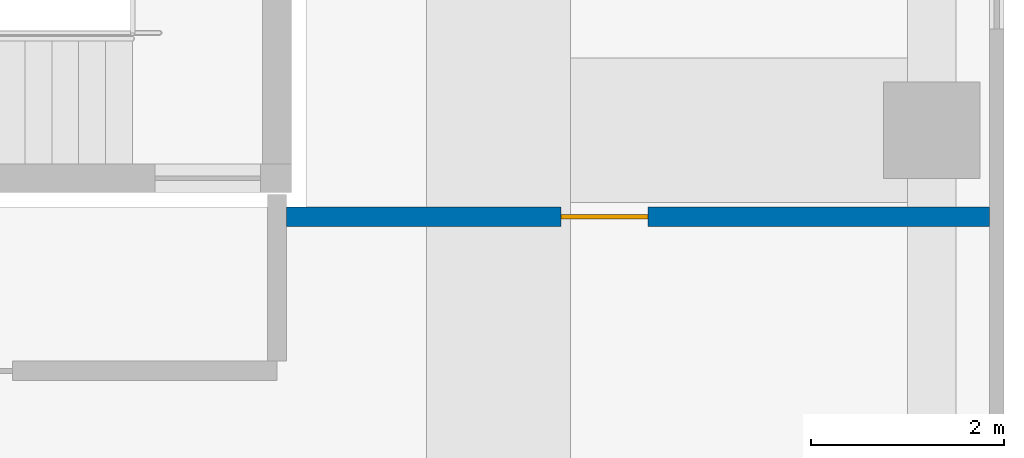
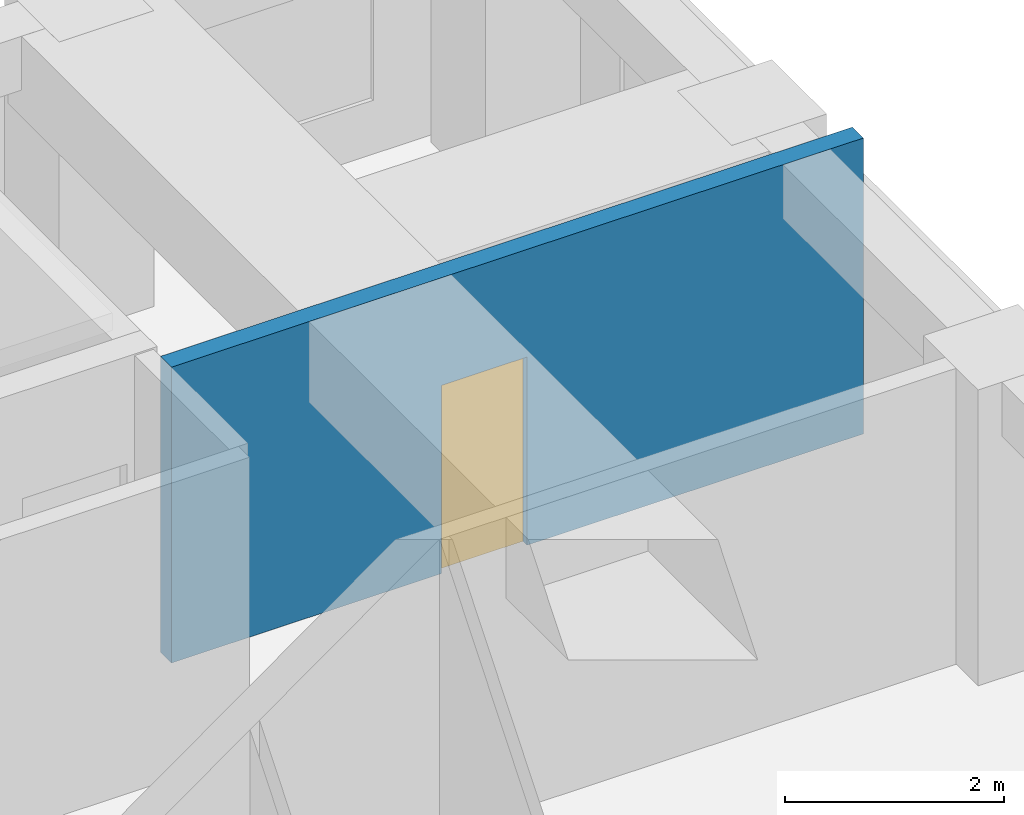
# One storey, part 9 of 12: 1 door, 1 wall, 1 opening.
"""IFC4 building model written with IfcOpenShell, lengths in metres."""

from ifc_helpers import new_model, si_unit, direction, frame, frame_2d, origin, place, context, subcontext, project, spatial, rectangle, extrude, material, layer, layer_set, type_object, element, fill, save


model = new_model("IFC4")

# Units and contexts
model_context = context("Model", 3, precision=1e-05, world=origin(), true_north=direction((0.0, 1.0)))
body_context = subcontext(model_context, "Body", "Model", "MODEL_VIEW")
ifc_project = project(units=[si_unit("LENGTHUNIT", "METRE"), si_unit("AREAUNIT", "SQUARE_METRE"), si_unit("VOLUMEUNIT", "CUBIC_METRE"), si_unit("PLANEANGLEUNIT", "RADIAN"), si_unit("MASSUNIT", "GRAM", prefix="KILO")], contexts=[model_context])

# Site, building, storey
site_placement = place(None, origin())
site = spatial("IfcSite", under=ifc_project, at=site_placement, CompositionType="ELEMENT")
building_placement = place(site_placement, origin())
building = spatial("IfcBuilding", under=site, at=building_placement, Name="Firuza Court", CompositionType="ELEMENT")
storey_placement = place(building_placement, frame((0.0, 0.0, 152.0)))
storey = spatial("IfcBuildingStorey", under=building, at=storey_placement, Name="L38", CompositionType="ELEMENT", Elevation=152.0)

# Wall, opening, door
ifc_material_1 = material(Name="Blockwork, plastered both sides", Category="masonry")
ifc_layer = layer(ifc_material_1, 0.199951171875)
ifc_layer_set = layer_set([ifc_layer], Name="Blockwork, plastered both sides")
wall_type = type_object("IfcWallType", Name="Corridor wall 200", PredefinedType="PARTITIONING", material=ifc_layer_set)
wall_placement = place(storey_placement, frame((60.800048828125, 53.10009765625, 0.0), z_axis=(0.0, 0.0, 1.0), x_axis=(1.0, 0.0, 0.0)))
wall = element("IfcWall", 1, at=wall_placement, inside=storey, type_object=wall_type, Name="Corridor wall 200 L38", PredefinedType="PARTITIONING", context=body_context, shape_type="SweptSolid", body=[
    extrude(rectangle(XDim=7.300048828125, YDim=0.199951171875, at=frame_2d((3.64990234375, 0.0))), origin(), (0.0, 0.0, 1.0), 3.300048828125),
])
opening_placement = place(wall_placement, frame((2.85009765625, 0.0, 0.0)))
opening = element("IfcOpeningElement", 2, at=opening_placement, cuts=wall, Name="Opening D38076", PredefinedType="OPENING", context=body_context, shape_type="SweptSolid", body=[
    extrude(rectangle(XDim=0.89990234375, YDim=2.10009765625, at=frame_2d((0.449951171875, 1.050048828125))), frame((0.0, 0.11181640625, 0.0), z_axis=(0.0, -1.0, 0.0), x_axis=(1.0, 0.0, 0.0)), (0.0, 0.0, 1.0), 0.223876953125),
])
ifc_material_2 = material(Name="Timber door leaf in hardwood frame", Category="wood")
door_type = type_object("IfcDoorType", Name="Room door 900 EI 30", OperationType="SINGLE_SWING_LEFT", PredefinedType="DOOR", material=ifc_material_2)
door_placement = place(opening_placement, origin())
door = element("IfcDoor", 3, at=door_placement, inside=storey, type_object=door_type, Name="Meeting room door", OperationType="SINGLE_SWING_LEFT", OverallHeight=2.10009765625, OverallWidth=0.89990234375, PredefinedType="DOOR", context=body_context, shape_type="SweptSolid", body=[
    extrude(rectangle(XDim=0.89990234375, YDim=2.10009765625, at=frame_2d((0.449951171875, 1.050048828125))), frame((0.0, 0.02490234375, 0.0), z_axis=(0.0, -1.0, 0.0), x_axis=(1.0, 0.0, 0.0)), (0.0, 0.0, 1.0), 0.050048828125),
])
fill(opening, door)

save(model, "model.ifc")
